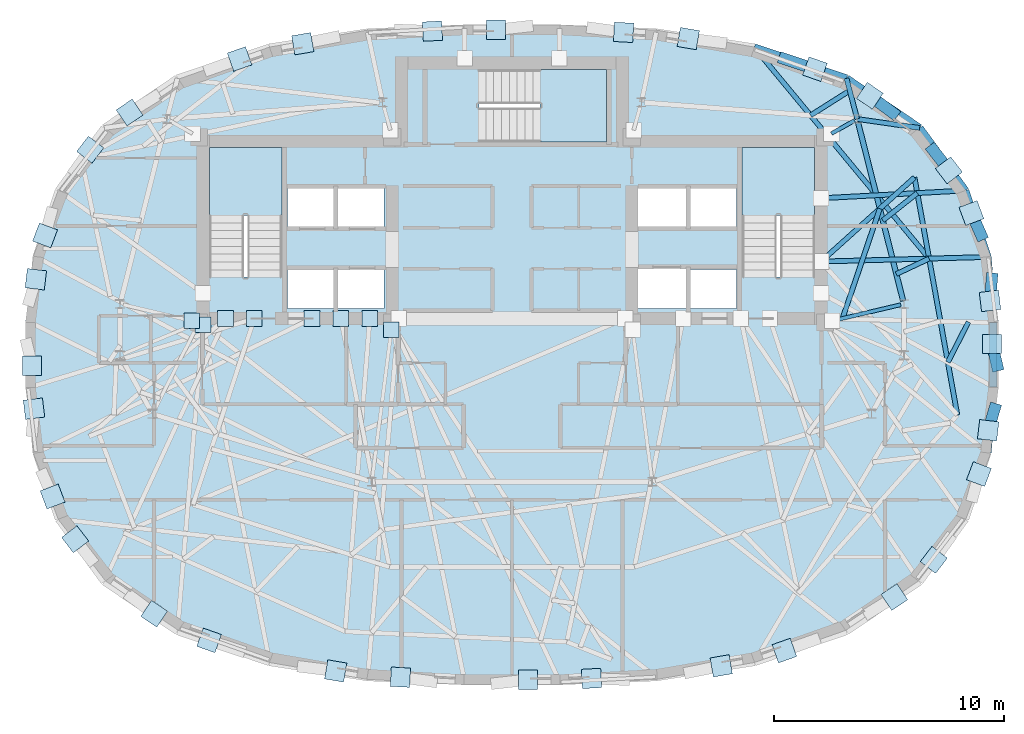
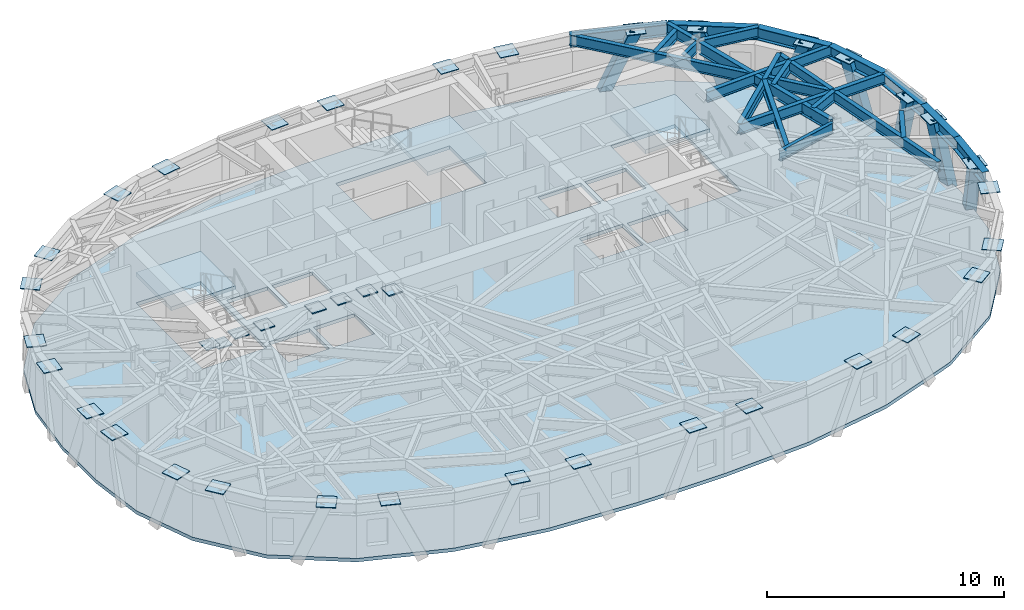
# One storey, part 4 of 12: 40 plates, 22 beams, 7 members, 4 slabs, 3 elements without a shape of their own.
"""IFC4 building model written with IfcOpenShell, lengths in metres."""

from ifc_helpers import new_model, si_unit, direction, frame, origin, origin_2d, place, context, subcontext, project, spatial, polyline, rectangle, hollow_rectangle, i_section, outline, extrude, material, layer, layer_set, material_profile, profile_set, type_object, element, aggregate, save


model = new_model("IFC4")

# Units and contexts
model_context = context("Model", 3, precision=1e-05, world=origin(), true_north=direction((0.0, 1.0)))
body_context = subcontext(model_context, "Body", "Model", "MODEL_VIEW")
ifc_project = project(units=[si_unit("LENGTHUNIT", "METRE"), si_unit("AREAUNIT", "SQUARE_METRE"), si_unit("VOLUMEUNIT", "CUBIC_METRE"), si_unit("PLANEANGLEUNIT", "RADIAN"), si_unit("MASSUNIT", "GRAM", prefix="KILO")], contexts=[model_context])

# Site, building, storey
site_placement = place(None, origin())
site = spatial("IfcSite", under=ifc_project, at=site_placement, CompositionType="ELEMENT")
building_placement = place(site_placement, origin())
building = spatial("IfcBuilding", under=site, at=building_placement, Name="Keldmark Tower", CompositionType="ELEMENT")
storey_placement = place(building_placement, frame((0.0, 0.0, 247.800048828125)))
storey = spatial("IfcBuildingStorey", under=building, at=storey_placement, Name="L70", CompositionType="ELEMENT", Elevation=247.800048828125)

# Members
ifc_material_1 = material(Name="Steel ASTM A572 Grade 50", Category="steel")
ifc_material_profile_1 = material_profile(ifc_material_1, hollow_rectangle(XDim=0.5, YDim=0.5, WallThickness=0.030029296875, at=origin_2d()), Name="BOX500X500X30")
ifc_profile_set_1 = profile_set([ifc_material_profile_1], Name="Steel ASTM A572 Grade 50")
member_type = type_object("IfcMemberType", Name="Diagrid Upper Brace BOX500X500X30", PredefinedType="BRACE", material=ifc_profile_set_1)
member_1_placement = place(storey_placement, frame((20.84619140625, 3.3154296875, -0.260009765625), z_axis=(-0.02434048137, -0.29882621744, 0.953997082143), x_axis=(0.996699069196, -0.081184761275, 0.0)))
element("IfcMember", 1, at=member_1_placement, inside=storey, type_object=member_type, Name="L70 Perimeter Diagrid Brace 01A", PredefinedType="BRACE", context=body_context, shape_type="SweptSolid", body=[
    extrude(hollow_rectangle(XDim=0.5, YDim=0.5, WallThickness=0.030029296875, at=origin_2d()), origin(), (0.0, 0.0, 1.0), 3.259765625),
])
member_2_placement = place(storey_placement, frame((20.374755859375, 5.215087890625, -0.260009765625), z_axis=(-0.127139635988, 0.287517418312, 0.949299345374), x_axis=(-0.9145724362, -0.404422129641, 0.0)))
element("IfcMember", 2, at=member_2_placement, inside=storey, type_object=member_type, Name="L70 Perimeter Diagrid Brace 01B", PredefinedType="BRACE", context=body_context, shape_type="SweptSolid", body=[
    extrude(hollow_rectangle(XDim=0.5, YDim=0.5, WallThickness=0.030029296875, at=origin_2d()), origin(), (0.0, 0.0, 1.0), 3.27587890625),
])
member_3_placement = place(storey_placement, frame((18.290283203125, 8.90380859375, -0.260009765625), z_axis=(0.208257888587, -0.26894132865, 0.940371848571), x_axis=(0.790659312829, 0.612256360552, 0.0)))
element("IfcMember", 3, at=member_3_placement, inside=storey, type_object=member_type, Name="L70 Perimeter Diagrid Brace 02A", PredefinedType="BRACE", context=body_context, shape_type="SweptSolid", body=[
    extrude(hollow_rectangle(XDim=0.5, YDim=0.5, WallThickness=0.030029296875, at=origin_2d()), origin(), (0.0, 0.0, 1.0), 3.30712890625),
])
member_4_placement = place(storey_placement, frame((16.55615234375, 10.50341796875, -0.260009765625), z_axis=(-0.301251358752, 0.222936195182, 0.92711761483), x_axis=(-0.594860573882, -0.803828898237, 0.0)))
element("IfcMember", 4, at=member_4_placement, inside=storey, type_object=member_type, Name="L70 Perimeter Diagrid Brace 02B", PredefinedType="BRACE", context=body_context, shape_type="SweptSolid", body=[
    extrude(hollow_rectangle(XDim=0.5, YDim=0.5, WallThickness=0.030029296875, at=origin_2d()), origin(), (0.0, 0.0, 1.0), 3.354248046875),
])
member_5_placement = place(storey_placement, frame((11.817138671875, 12.855712890625, -0.260009765625), z_axis=(0.392945244347, -0.130695917787, 0.910226681667), x_axis=(0.315606493533, 0.948890162896, 0.0)))
element("IfcMember", 5, at=member_5_placement, inside=storey, type_object=member_type, Name="L70 Perimeter Diagrid Brace 03A", PredefinedType="BRACE", context=body_context, shape_type="SweptSolid", body=[
    extrude(hollow_rectangle(XDim=0.5, YDim=0.5, WallThickness=0.030029296875, at=origin_2d()), origin(), (0.0, 0.0, 1.0), 3.41650390625),
])
member_6_placement = place(storey_placement, frame((20.962646484375, -2.34912109375, -0.260009765625), z_axis=(-0.084895755015, -0.286008029031, 0.954459070945), x_axis=(0.95865864275, -0.284558617301, 0.0)))
element("IfcMember", 6, at=member_6_placement, inside=storey, type_object=member_type, Name="L70 Perimeter Diagrid Brace 16A", PredefinedType="BRACE", context=body_context, shape_type="SweptSolid", body=[
    extrude(hollow_rectangle(XDim=0.5, YDim=0.5, WallThickness=0.030029296875, at=origin_2d()), origin(), (0.0, 0.0, 1.0), 3.25830078125),
])
member_7_placement = place(storey_placement, frame((21.07470703125, -0.464599609375, -0.260009765625), z_axis=(-0.069071309834, 0.28745964234, 0.955298962725), x_axis=(-0.972325096708, -0.23363198906, 0.0)))
element("IfcMember", 7, at=member_7_placement, inside=storey, type_object=member_type, Name="L70 Perimeter Diagrid Brace 16B", PredefinedType="BRACE", context=body_context, shape_type="SweptSolid", body=[
    extrude(hollow_rectangle(XDim=0.5, YDim=0.5, WallThickness=0.030029296875, at=origin_2d()), origin(), (0.0, 0.0, 1.0), 3.25537109375),
])

# Beams
ifc_material_2 = material(Name="Steel ASTM A992 Grade 50", Category="steel")
ifc_material_profile_2 = material_profile(ifc_material_2, i_section(OverallWidth=0.22802734375, OverallDepth=0.60302734375, WebThickness=0.010498046875, FlangeThickness=0.014892578125, at=origin_2d()), Name="W24X68")
ifc_profile_set_2 = profile_set([ifc_material_profile_2], Name="Steel ASTM A992 Grade 50")
beam_type_1 = type_object("IfcBeamType", Name="Primary Floor Girder W24X68", PredefinedType="BEAM", material=ifc_profile_set_2)
beam_1_placement = place(storey_placement, frame((16.9912109375, 2.34375, 2.66845703125), z_axis=(-0.244902129455, 0.969547805417, 0.0), x_axis=(-0.969547805417, -0.244902129455, 0.0)))
element("IfcBeam", 8, at=beam_1_placement, inside=storey, type_object=beam_type_1, Name="L70 Floor Ring Girder FG-R01", PredefinedType="BEAM", context=body_context, shape_type="SweptSolid", body=[
    extrude(i_section(OverallWidth=0.22802734375, OverallDepth=0.60302734375, WebThickness=0.010498046875, FlangeThickness=0.014892578125, at=origin_2d()), origin(), (0.0, 0.0, 1.0), 8.008056640625),
])
ifc_material_3 = material(Name="Steel ASTM A992 Grade 50", Category="steel")
ifc_material_profile_3 = material_profile(ifc_material_3, i_section(OverallWidth=0.166015625, OverallDepth=0.529052734375, WebThickness=0.009765625, FlangeThickness=0.013671875, at=origin_2d()), Name="W21X50")
ifc_profile_set_3 = profile_set([ifc_material_profile_3], Name="Steel ASTM A992 Grade 50")
beam_type_2 = type_object("IfcBeamType", Name="Radial Tie Girder W21X50", PredefinedType="BEAM", material=ifc_profile_set_3)
beam_2_placement = place(storey_placement, frame((16.889404296875, 2.17578125, 2.70556640625), z_axis=(-0.97329039005, -0.229577474147, 0.0), x_axis=(0.229577474147, -0.97329039005, 0.0)))
element("IfcBeam", 9, at=beam_2_placement, inside=storey, type_object=beam_type_2, Name="L70 Floor Radial Girder FG-C01", PredefinedType="BEAM", context=body_context, shape_type="SweptSolid", body=[
    extrude(i_section(OverallWidth=0.166015625, OverallDepth=0.529052734375, WebThickness=0.009765625, FlangeThickness=0.013671875, at=origin_2d()), origin(), (0.0, 0.0, 1.0), 3.0595703125),
])
beam_3_placement = place(storey_placement, frame((14.8740234375, 10.174560546875, 2.70556640625), z_axis=(-0.869238046195, -0.494393789451, 0.0), x_axis=(0.494393789451, -0.869238046195, 0.0)))
element("IfcBeam", 10, at=beam_3_placement, inside=storey, type_object=beam_type_2, Name="L70 Floor Radial Girder FG-C02", PredefinedType="BEAM", context=body_context, shape_type="SweptSolid", body=[
    extrude(i_section(OverallWidth=0.166015625, OverallDepth=0.529052734375, WebThickness=0.009765625, FlangeThickness=0.013671875, at=origin_2d()), origin(), (0.0, 0.0, 1.0), 1.145751953125),
])
ifc_material_4 = material(Name="Steel ASTM A992 Grade 50", Category="steel")
ifc_material_profile_4 = material_profile(ifc_material_4, i_section(OverallWidth=0.2099609375, OverallDepth=0.537109375, WebThickness=0.010986328125, FlangeThickness=0.017333984375, at=origin_2d()), Name="W21X68")
ifc_profile_set_4 = profile_set([ifc_material_profile_4], Name="Steel ASTM A992 Grade 50")
beam_type_3 = type_object("IfcBeamType", Name="Radial Tie Girder W21X68", PredefinedType="BEAM", material=ifc_profile_set_4)
beam_4_placement = place(storey_placement, frame((14.358154296875, 1.578857421875, 2.701416015625), z_axis=(0.321921849117, 0.946766245206, 0.0), x_axis=(-0.946766245206, 0.321921849117, 0.0)))
element("IfcBeam", 11, at=beam_4_placement, inside=storey, type_object=beam_type_3, Name="L70 Framing Pin Header PH-005", PredefinedType="BEAM", context=body_context, shape_type="SweptSolid", body=[
    extrude(i_section(OverallWidth=0.2099609375, OverallDepth=0.537109375, WebThickness=0.010986328125, FlangeThickness=0.017333984375, at=origin_2d()), origin(), (0.0, 0.0, 1.0), 5.037109375),
])
beam_5_placement = place(storey_placement, frame((13.425048828125, 4.050048828125, 2.701416015625), z_axis=(0.743494187518, 0.668742396687, 0.0), x_axis=(-0.668742396687, 0.743494187518, 0.0)))
element("IfcBeam", 12, at=beam_5_placement, inside=storey, type_object=beam_type_3, Name="L70 Sub-Ring Step Girder STP2-M01", PredefinedType="BEAM", context=body_context, shape_type="SweptSolid", body=[
    extrude(i_section(OverallWidth=0.2099609375, OverallDepth=0.537109375, WebThickness=0.010986328125, FlangeThickness=0.017333984375, at=origin_2d()), origin(), (0.0, 0.0, 1.0), 5.460693359375),
])
beam_6_placement = place(storey_placement, frame((19.34765625, -2.614013671875, 2.701416015625), z_axis=(-0.177678144868, 0.984088652935, 0.0), x_axis=(-0.984088652935, -0.177678144868, 0.0)))
element("IfcBeam", 13, at=beam_6_placement, inside=storey, type_object=beam_type_3, Name="L70 Perimeter Collector Ring Beam CRG2-M12", PredefinedType="BEAM", context=body_context, shape_type="SweptSolid", body=[
    extrude(i_section(OverallWidth=0.2099609375, OverallDepth=0.537109375, WebThickness=0.010986328125, FlangeThickness=0.017333984375, at=origin_2d()), origin(), (0.0, 0.0, 1.0), 10.482666015625),
])
beam_7_placement = place(storey_placement, frame((16.697021484375, 3.50830078125, 2.701416015625), z_axis=(0.904576052252, 0.426312286583, 0.0), x_axis=(-0.426312286583, 0.904576052252, 0.0)))
element("IfcBeam", 14, at=beam_7_placement, inside=storey, type_object=beam_type_3, Name="L70 Framing Pin Header PH-011", PredefinedType="BEAM", context=body_context, shape_type="SweptSolid", body=[
    extrude(i_section(OverallWidth=0.2099609375, OverallDepth=0.537109375, WebThickness=0.010986328125, FlangeThickness=0.017333984375, at=origin_2d()), origin(), (0.0, 0.0, 1.0), 1.57421875),
])
beam_8_placement = place(storey_placement, frame((13.425048828125, 4.050048828125, 2.701416015625), z_axis=(0.999621152611, 0.027523648958, 0.0), x_axis=(-0.027523648958, 0.999621152611, 0.0)))
element("IfcBeam", 15, at=beam_8_placement, inside=storey, type_object=beam_type_3, Name="L70 Perimeter Radial Tie Girder RT-02", PredefinedType="BEAM", context=body_context, shape_type="SweptSolid", body=[
    extrude(i_section(OverallWidth=0.2099609375, OverallDepth=0.537109375, WebThickness=0.010986328125, FlangeThickness=0.017333984375, at=origin_2d()), origin(), (0.0, 0.0, 1.0), 7.238037109375),
])
beam_9_placement = place(storey_placement, frame((16.10888671875, 5.837646484375, 2.701416015625), z_axis=(0.783812723043, 0.620997274708, 0.0), x_axis=(-0.620997274708, 0.783812723043, 0.0)))
element("IfcBeam", 16, at=beam_9_placement, inside=storey, type_object=beam_type_3, Name="L70 Framing Pin Header PH-012", PredefinedType="BEAM", context=body_context, shape_type="SweptSolid", body=[
    extrude(i_section(OverallWidth=0.2099609375, OverallDepth=0.537109375, WebThickness=0.010986328125, FlangeThickness=0.017333984375, at=origin_2d()), origin(), (0.0, 0.0, 1.0), 1.911865234375),
])
beam_10_placement = place(storey_placement, frame((13.425048828125, 6.800048828125, 2.701416015625), z_axis=(0.998558544337, 0.053673396868, 0.0), x_axis=(-0.053673396868, 0.998558544337, 0.0)))
element("IfcBeam", 17, at=beam_10_placement, inside=storey, type_object=beam_type_3, Name="L70 Perimeter Radial Tie Girder RT-03", PredefinedType="BEAM", context=body_context, shape_type="SweptSolid", body=[
    extrude(i_section(OverallWidth=0.2099609375, OverallDepth=0.537109375, WebThickness=0.010986328125, FlangeThickness=0.017333984375, at=origin_2d()), origin(), (0.0, 0.0, 1.0), 6.277099609375),
])
beam_11_placement = place(storey_placement, frame((14.995849609375, 10.24365234375, 2.701416015625), z_axis=(0.98984411669, -0.142157042224, 0.0), x_axis=(0.142157042224, 0.98984411669, 0.0)))
element("IfcBeam", 18, at=beam_11_placement, inside=storey, type_object=beam_type_3, Name="L70 Perimeter Column Bracket RT-04", PredefinedType="BEAM", context=body_context, shape_type="SweptSolid", body=[
    extrude(i_section(OverallWidth=0.2099609375, OverallDepth=0.537109375, WebThickness=0.010986328125, FlangeThickness=0.017333984375, at=origin_2d()), origin(), (0.0, 0.0, 1.0), 2.740966796875),
])
beam_12_placement = place(storey_placement, frame((14.995849609375, 10.24365234375, 2.701416015625), z_axis=(-0.253642849058, 0.967297940203, 0.0), x_axis=(-0.967297940203, -0.253642849058, 0.0)))
element("IfcBeam", 19, at=beam_12_placement, inside=storey, type_object=beam_type_3, Name="L70 Perimeter Column Bracket RT-05", PredefinedType="BEAM", context=body_context, shape_type="SweptSolid", body=[
    extrude(i_section(OverallWidth=0.2099609375, OverallDepth=0.537109375, WebThickness=0.010986328125, FlangeThickness=0.017333984375, at=origin_2d()), origin(), (0.0, 0.0, 1.0), 1.822998046875),
])
beam_13_placement = place(storey_placement, frame((14.672119140625, 11.47802734375, 2.701416015625), z_axis=(-0.84469303892, -0.535251034563, 0.0), x_axis=(0.535251034563, -0.84469303892, 0.0)))
element("IfcBeam", 20, at=beam_13_placement, inside=storey, type_object=beam_type_3, Name="L70 Framing Pin Header PH-013", PredefinedType="BEAM", context=body_context, shape_type="SweptSolid", body=[
    extrude(i_section(OverallWidth=0.2099609375, OverallDepth=0.537109375, WebThickness=0.010986328125, FlangeThickness=0.017333984375, at=origin_2d()), origin(), (0.0, 0.0, 1.0), 2.01416015625),
])
beam_14_placement = place(storey_placement, frame((18.12109375, 4.179443359375, 2.701416015625), z_axis=(-0.637749364974, 0.770243953222, 0.0), x_axis=(-0.770243953222, -0.637749364974, 0.0)))
element("IfcBeam", 21, at=beam_14_placement, inside=storey, type_object=beam_type_3, Name="L70 Perimeter Radial Tie Girder RT-06", PredefinedType="BEAM", context=body_context, shape_type="SweptSolid", body=[
    extrude(i_section(OverallWidth=0.2099609375, OverallDepth=0.537109375, WebThickness=0.010986328125, FlangeThickness=0.017333984375, at=origin_2d()), origin(), (0.0, 0.0, 1.0), 11.908935546875),
])
beam_15_placement = place(storey_placement, frame((19.828125, 1.423095703125, 2.701416015625), z_axis=(-0.456157362371, -0.889899129539, 0.0), x_axis=(0.889899129539, -0.456157362371, 0.0)))
element("IfcBeam", 22, at=beam_15_placement, inside=storey, type_object=beam_type_3, Name="L70 Framing Pin Header PH-031", PredefinedType="BEAM", context=body_context, shape_type="SweptSolid", body=[
    extrude(i_section(OverallWidth=0.2099609375, OverallDepth=0.537109375, WebThickness=0.010986328125, FlangeThickness=0.017333984375, at=origin_2d()), origin(), (0.0, 0.0, 1.0), 1.96044921875),
])
ifc_material_5 = material(Name="Steel ASTM A992 Grade 50", Category="steel")
ifc_material_profile_5 = material_profile(ifc_material_5, i_section(OverallWidth=0.326904296875, OverallDepth=0.6220703125, WebThickness=0.015380859375, FlangeThickness=0.0244140625, at=origin_2d()), Name="W24X131")
ifc_profile_set_5 = profile_set([ifc_material_profile_5], Name="Steel ASTM A992 Grade 50")
beam_type_4 = type_object("IfcBeamType", Name="Spandrel Ring Beam W24X131", PredefinedType="SPANDREL", material=ifc_profile_set_5)
beam_16_placement = place(storey_placement, frame((20.909423828125, 1.396240234375, 2.658935546875), z_axis=(-0.086953331659, 0.996212386047, 0.0), x_axis=(-0.996212386047, -0.086953331659, 0.0)))
element("IfcBeam", 23, at=beam_16_placement, inside=storey, type_object=beam_type_4, Name="L70 Perimeter Spandrel Ring Beam SRB-01", PredefinedType="SPANDREL", context=body_context, shape_type="SweptSolid", body=[
    extrude(i_section(OverallWidth=0.326904296875, OverallDepth=0.6220703125, WebThickness=0.015380859375, FlangeThickness=0.0244140625, at=origin_2d()), origin(), (0.0, 0.0, 1.0), 2.86376953125),
])
beam_17_placement = place(storey_placement, frame((20.660400390625, 4.249267578125, 2.658935546875), z_axis=(-0.317622332961, 0.948217302945, 0.0), x_axis=(-0.948217302945, -0.317622332961, 0.0)))
element("IfcBeam", 24, at=beam_17_placement, inside=storey, type_object=beam_type_4, Name="L70 Perimeter Spandrel Ring Beam SRB-02", PredefinedType="SPANDREL", context=body_context, shape_type="SweptSolid", body=[
    extrude(i_section(OverallWidth=0.326904296875, OverallDepth=0.6220703125, WebThickness=0.015380859375, FlangeThickness=0.0244140625, at=origin_2d()), origin(), (0.0, 0.0, 1.0), 3.04541015625),
])
beam_18_placement = place(storey_placement, frame((19.693115234375, 7.136962890625, 2.658935546875), z_axis=(-0.589745465015, 0.807589181759, 0.0), x_axis=(-0.807589181759, -0.589745465015, 0.0)))
element("IfcBeam", 25, at=beam_18_placement, inside=storey, type_object=beam_type_4, Name="L70 Perimeter Spandrel Ring Beam SRB-03", PredefinedType="SPANDREL", context=body_context, shape_type="SweptSolid", body=[
    extrude(i_section(OverallWidth=0.326904296875, OverallDepth=0.6220703125, WebThickness=0.015380859375, FlangeThickness=0.0244140625, at=origin_2d()), origin(), (0.0, 0.0, 1.0), 3.364501953125),
])
beam_19_placement = place(storey_placement, frame((17.708984375, 9.85400390625, 2.658935546875), z_axis=(-0.827687958421, 0.561188598855, 0.0), x_axis=(-0.561188598855, -0.827687958421, 0.0)))
element("IfcBeam", 26, at=beam_19_placement, inside=storey, type_object=beam_type_4, Name="L70 Perimeter Spandrel Ring Beam SRB-04", PredefinedType="SPANDREL", context=body_context, shape_type="SweptSolid", body=[
    extrude(i_section(OverallWidth=0.326904296875, OverallDepth=0.6220703125, WebThickness=0.015380859375, FlangeThickness=0.0244140625, at=origin_2d()), origin(), (0.0, 0.0, 1.0), 3.836669921875),
])
beam_20_placement = place(storey_placement, frame((14.533447265625, 12.007080078125, 2.658935546875), z_axis=(-0.948011196326, 0.318236974032, 0.0), x_axis=(-0.318236974032, -0.948011196326, 0.0)))
element("IfcBeam", 27, at=beam_20_placement, inside=storey, type_object=beam_type_4, Name="L70 Perimeter Spandrel Ring Beam SRB-05", PredefinedType="SPANDREL", context=body_context, shape_type="SweptSolid", body=[
    extrude(i_section(OverallWidth=0.326904296875, OverallDepth=0.6220703125, WebThickness=0.015380859375, FlangeThickness=0.0244140625, at=origin_2d()), origin(), (0.0, 0.0, 1.0), 4.22705078125),
])
beam_21_placement = place(storey_placement, frame((20.660400390625, -4.249267578125, 2.658935546875), z_axis=(0.086953331659, 0.996212386047, 0.0), x_axis=(-0.996212386047, 0.086953331659, 0.0)))
element("IfcBeam", 28, at=beam_21_placement, inside=storey, type_object=beam_type_4, Name="L70 Perimeter Spandrel Ring Beam SRB-31", PredefinedType="SPANDREL", context=body_context, shape_type="SweptSolid", body=[
    extrude(i_section(OverallWidth=0.326904296875, OverallDepth=0.6220703125, WebThickness=0.015380859375, FlangeThickness=0.0244140625, at=origin_2d()), origin(), (0.0, 0.0, 1.0), 2.86376953125),
])
beam_22_placement = place(storey_placement, frame((20.909423828125, -1.396240234375, 2.658935546875), z_axis=(0.0, 1.0, 0.0), x_axis=(-1.0, 0.0, 0.0)))
element("IfcBeam", 29, at=beam_22_placement, inside=storey, type_object=beam_type_4, Name="L70 Perimeter Spandrel Ring Beam SRB-32", PredefinedType="SPANDREL", context=body_context, shape_type="SweptSolid", body=[
    extrude(i_section(OverallWidth=0.326904296875, OverallDepth=0.6220703125, WebThickness=0.015380859375, FlangeThickness=0.0244140625, at=origin_2d()), origin(), (0.0, 0.0, 1.0), 2.79248046875),
])

# Plates
ifc_material_6 = material(Name="Steel ASTM A572 Grade 50", Category="steel")
ifc_layer_1 = layer(ifc_material_6, 0.06005859375)
ifc_layer_set_1 = layer_set([ifc_layer_1], Name="Steel ASTM A572 Grade 50")
plate_type_1 = type_object("IfcPlateType", Name="Belt Truss Kink Node Assembly KN01 60 mm", PredefinedType="USERDEFINED", material=ifc_layer_set_1)
for number, where, z_axis, x_axis, name in (
    (30, (-13.91162109375, 1.473388671875, 2.67822265625), (0.0, 0.0, 1.0), (1.0, 0.0, 0.0), "L70 Core Wall Cast-In Embed Plate 2037"),
    (31, (-5.24072265625, 1.08251953125, 2.67822265625), (0.0, 0.0, 1.0), (1.0, 0.0, 0.0), "L70 Core Wall Cast-In Embed Plate 2038"),
    (32, (-11.19287109375, 1.574951171875, 2.673828125), (0.0, 0.0, 1.0), (1.0, 0.0, 0.0), "L70 Core Wall Cast-In Embed Plate 2042"),
    (33, (-7.43212890625, 1.574951171875, 2.673828125), (0.0, 0.0, 1.0), (1.0, 0.0, 0.0), "L70 Core Wall Cast-In Embed Plate 2043"),
    (34, (-6.1787109375, 1.574951171875, 2.673828125), (0.0, 0.0, 1.0), (1.0, 0.0, 0.0), "L70 Core Wall Cast-In Embed Plate 2048"),
    (35, (-12.4462890625, 1.574951171875, 2.673828125), (0.0, 0.0, 1.0), (1.0, 0.0, 0.0), "L70 Core Wall Cast-In Embed Plate 2051"),
    (36, (-8.685791015625, 1.574951171875, 2.673828125), (0.0, 0.0, 1.0), (1.0, 0.0, 0.0), "L70 Core Wall Cast-In Embed Plate 2052"),
    (37, (-13.425048828125, 1.300048828125, 2.673828125), (0.0, 0.0, 1.0), (1.0, 0.0, 0.0), "L70 Core Wall Cast-In Embed Plate 2053"),
):
    element("IfcPlate", number, at=place(storey_placement, frame(where, z_axis=z_axis, x_axis=x_axis)), inside=storey, type_object=plate_type_1, Name=name, ObjectType="CAP PLATE", PredefinedType="USERDEFINED", context=body_context, shape_type="SweptSolid", body=[
        extrude(rectangle(XDim=0.679931640625, YDim=0.679931640625, at=origin_2d()), origin(), (0.0, 0.0, 1.0), 0.054931640625),
    ])
ifc_material_7 = material(Name="Steel ASTM A572 Grade 50", Category="steel")
ifc_layer_2 = layer(ifc_material_7, 0.034912109375)
ifc_layer_set_2 = layer_set([ifc_layer_2], Name="Steel ASTM A572 Grade 50")
plate_type_2 = type_object("IfcPlateType", Name="Diagrid Node Assembly DN06 35 mm", PredefinedType="USERDEFINED", material=ifc_layer_set_2)
for number, where, z_axis, x_axis, name in (
    (38, (20.766845703125, 2.34130859375, 2.83251953125), (0.0, 0.0, 1.0), (-0.118923867576, 0.992903375823, 0.0), "L70 Diagrid Node Assembly 01"),
    (39, (19.958251953125, 6.156982421875, 2.83251953125), (0.0, 0.0, 1.0), (-0.351841648405, 0.936059535739, 0.0), "L70 Diagrid Node Assembly 02"),
    (40, (18.97900390625, 8.014404296875, 2.83251953125), (0.0, 0.0, 1.0), (-0.608345946742, 0.793671978264, 0.0), "L70 Diagrid Node Assembly 03"),
    (41, (15.545654296875, 11.251220703125, 2.83251953125), (0.0, 0.0, 1.0), (-0.827668733006, 0.561216953062, 0.0), "L70 Diagrid Node Assembly 04"),
    (42, (13.15966796875, 12.4091796875, 2.83251953125), (0.0, 0.0, 1.0), (-0.943164670528, 0.332325750233, 0.0), "L70 Diagrid Node Assembly 05"),
    (43, (7.65869140625, 13.73681640625, 2.83251953125), (0.0, 0.0, 1.0), (-0.985407898483, 0.170209499166, 0.0), "L70 Diagrid Node Assembly 06"),
    (44, (4.847412109375, 14.007080078125, 2.83251953125), (0.0, 0.0, 1.0), (-0.998489097451, 0.054950179912, 0.0), "L70 Diagrid Node Assembly 07"),
    (45, (-0.6923828125, 14.1171875, 2.83251953125), (0.0, 0.0, 1.0), (-1.0, 0.0, 0.0), "L70 Diagrid Node Assembly 08"),
    (46, (-3.4560546875, 14.06103515625, 2.83251953125), (0.0, 0.0, 1.0), (-0.998489097451, -0.054950179912, 0.0), "L70 Diagrid Node Assembly 09"),
    (47, (-9.089111328125, 13.513671875, 2.83251953125), (0.0, 0.0, 1.0), (-0.985407898483, -0.170209499166, 0.0), "L70 Diagrid Node Assembly 10"),
    (48, (-11.833740234375, 12.85107421875, 2.83251953125), (0.0, 0.0, 1.0), (-0.943164670528, -0.332325750233, 0.0), "L70 Diagrid Node Assembly 11"),
    (49, (-16.612548828125, 10.525390625, 2.83251953125), (0.0, 0.0, 1.0), (-0.827668733006, -0.561216953062, 0.0), "L70 Diagrid Node Assembly 12"),
    (50, (-18.32421875, 8.91015625, 2.83251953125), (0.0, 0.0, 1.0), (-0.608345946742, -0.793671978264, 0.0), "L70 Diagrid Node Assembly 13"),
    (51, (-20.28515625, 5.18359375, 2.83251953125), (0.0, 0.0, 1.0), (-0.351841648405, -0.936059535739, 0.0), "L70 Diagrid Node Assembly 14"),
    (52, (-20.68603515625, 3.281005859375, 2.83251953125), (0.0, 0.0, 1.0), (-0.118923867576, -0.992903375823, 0.0), "L70 Diagrid Node Assembly 15"),
    (53, (-20.849853515625, -0.47119140625, 2.83251953125), (0.0, 0.0, 1.0), (0.0, -1.0, 0.0), "L70 Diagrid Node Assembly 16"),
    (54, (-20.766845703125, -2.34130859375, 2.83251953125), (0.0, 0.0, 1.0), (0.118923867576, -0.992903375823, 0.0), "L70 Diagrid Node Assembly 17"),
    (55, (-19.958251953125, -6.156982421875, 2.83251953125), (0.0, 0.0, 1.0), (0.351841648405, -0.936059535739, 0.0), "L70 Diagrid Node Assembly 18"),
    (56, (-18.97900390625, -8.014404296875, 2.83251953125), (0.0, 0.0, 1.0), (0.608345946742, -0.793671978264, 0.0), "L70 Diagrid Node Assembly 19"),
    (57, (-15.545654296875, -11.251220703125, 2.83251953125), (0.0, 0.0, 1.0), (0.827668733006, -0.561216953062, 0.0), "L70 Diagrid Node Assembly 20"),
    (58, (-13.15966796875, -12.4091796875, 2.83251953125), (0.0, 0.0, 1.0), (0.943164670528, -0.332325750233, 0.0), "L70 Diagrid Node Assembly 21"),
    (59, (-7.65869140625, -13.73681640625, 2.83251953125), (0.0, 0.0, 1.0), (0.985407898483, -0.170209499166, 0.0), "L70 Diagrid Node Assembly 22"),
    (60, (-4.847412109375, -14.007080078125, 2.83251953125), (0.0, 0.0, 1.0), (0.998489097451, -0.054950179912, 0.0), "L70 Diagrid Node Assembly 23"),
    (61, (0.6923828125, -14.1171875, 2.83251953125), (0.0, 0.0, 1.0), (1.0, 0.0, 0.0), "L70 Diagrid Node Assembly 24"),
    (62, (3.4560546875, -14.06103515625, 2.83251953125), (0.0, 0.0, 1.0), (0.998489097451, 0.054950179912, 0.0), "L70 Diagrid Node Assembly 25"),
    (63, (9.089111328125, -13.513671875, 2.83251953125), (0.0, 0.0, 1.0), (0.985407898483, 0.170209499166, 0.0), "L70 Diagrid Node Assembly 26"),
    (64, (11.833740234375, -12.85107421875, 2.83251953125), (0.0, 0.0, 1.0), (0.943164670528, 0.332325750233, 0.0), "L70 Diagrid Node Assembly 27"),
    (65, (16.612548828125, -10.525390625, 2.83251953125), (0.0, 0.0, 1.0), (0.827668733006, 0.561216953062, 0.0), "L70 Diagrid Node Assembly 28"),
    (66, (18.32421875, -8.91015625, 2.83251953125), (0.0, 0.0, 1.0), (0.608345946742, 0.793671978264, 0.0), "L70 Diagrid Node Assembly 29"),
    (67, (20.28515625, -5.18359375, 2.83251953125), (0.0, 0.0, 1.0), (0.351841648405, 0.936059535739, 0.0), "L70 Diagrid Node Assembly 30"),
    (68, (20.68603515625, -3.281005859375, 2.83251953125), (0.0, 0.0, 1.0), (0.118923867576, 0.992903375823, 0.0), "L70 Diagrid Node Assembly 31"),
    (69, (20.849853515625, 0.47119140625, 2.83251953125), (0.0, 0.0, 1.0), (0.0, 1.0, 0.0), "L70 Diagrid Node Assembly 32"),
):
    element("IfcPlate", number, at=place(storey_placement, frame(where, z_axis=z_axis, x_axis=x_axis)), inside=storey, type_object=plate_type_2, Name=name, ObjectType="GUSSET", PredefinedType="USERDEFINED", context=body_context, shape_type="SweptSolid", body=[
        extrude(rectangle(XDim=0.840087890625, YDim=0.840087890625, at=origin_2d()), origin(), (0.0, 0.0, 1.0), 0.034912109375),
    ])

# Slab
ifc_material_8 = material(Name="Concrete C35/45", Category="concrete")
ifc_layer_3 = layer(ifc_material_8, 0.179931640625)
ifc_layer_set_3 = layer_set([ifc_layer_3], Name="Concrete C35/45")
slab_type_1 = type_object("IfcSlabType", Name="Hotel and Residential Slab 180 mm", PredefinedType="FLOOR", material=ifc_layer_set_3)
slab_1_placement = place(storey_placement, frame((0.0, 0.0, -0.179931640625)))
element("IfcSlab", 70, at=slab_1_placement, inside=storey, type_object=slab_type_1, Name="L70 Composite Structural Floor Slab", PredefinedType="FLOOR", context=body_context, shape_type="SweptSolid", body=[
    extrude(outline(polyline([(21.134521484375, 1.411376953125), (20.79150390625, 4.2763671875), (19.713623046875, 7.14453125), (17.658203125, 9.825927734375), (14.49169921875, 11.972900390625), (10.537109375, 13.36669921875), (6.306884765625, 14.097412109375), (2.08154296875, 14.330078125), (-2.08154296875, 14.330078125), (-6.306884765625, 14.097412109375), (-10.537109375, 13.36669921875), (-14.49169921875, 11.972900390625), (-17.658203125, 9.825927734375), (-19.713623046875, 7.14453125), (-20.79150390625, 4.2763671875), (-21.134521484375, 1.411376953125), (-21.134521484375, -1.411376953125), (-20.79150390625, -4.2763671875), (-19.713623046875, -7.14453125), (-17.658203125, -9.825927734375), (-14.49169921875, -11.972900390625), (-10.537109375, -13.36669921875), (-6.306884765625, -14.097412109375), (-2.08154296875, -14.330078125), (2.08154296875, -14.330078125), (6.306884765625, -14.097412109375), (10.537109375, -13.36669921875), (14.49169921875, -11.972900390625), (17.658203125, -9.825927734375), (19.713623046875, -7.14453125), (20.79150390625, -4.2763671875), (21.134521484375, -1.411376953125), (21.134521484375, 1.411376953125)]), holes=[polyline([(-10.0, 3.385009765625), (-10.0, 9.0), (-13.14990234375, 9.0), (-13.14990234375, 3.385009765625), (-10.0, 3.385009765625)]), polyline([(13.14990234375, 3.385009765625), (13.14990234375, 9.0), (10.0, 9.0), (10.0, 3.385009765625), (13.14990234375, 3.385009765625)]), polyline([(-1.43994140625, 9.25), (4.10498046875, 9.25), (4.10498046875, 12.39990234375), (-1.43994140625, 12.39990234375), (-1.43994140625, 9.25)]), polyline([(-9.75, 2.0), (-7.75, 2.0), (-7.75, 3.699951171875), (-9.75, 3.699951171875), (-9.75, 2.0)]), polyline([(7.75, 2.0), (9.75, 2.0), (9.75, 3.699951171875), (7.75, 3.699951171875), (7.75, 2.0)]), polyline([(5.449951171875, 2.0), (7.550048828125, 2.0), (7.550048828125, 3.75), (5.449951171875, 3.75), (5.449951171875, 2.0)]), polyline([(-9.75, 5.550048828125), (-7.75, 5.550048828125), (-7.75, 7.25), (-9.75, 7.25), (-9.75, 5.550048828125)]), polyline([(-7.550048828125, 5.550048828125), (-5.550048828125, 5.550048828125), (-5.550048828125, 7.25), (-7.550048828125, 7.25), (-7.550048828125, 5.550048828125)]), polyline([(-7.550048828125, 2.0), (-5.550048828125, 2.0), (-5.550048828125, 3.699951171875), (-7.550048828125, 3.699951171875), (-7.550048828125, 2.0)]), polyline([(5.449951171875, 5.550048828125), (7.550048828125, 5.550048828125), (7.550048828125, 7.25), (5.449951171875, 7.25), (5.449951171875, 5.550048828125)]), polyline([(7.75, 5.550048828125), (9.75, 5.550048828125), (9.75, 7.25), (7.75, 7.25), (7.75, 5.550048828125)])]), origin(), (0.0, 0.0, 1.0), 0.179931640625),
])

# Stair, slab
ifc_material_9 = material(Name="Concrete C40/50", Category="concrete")
stair_type = type_object("IfcStairType", Name="Precast Concrete Core Exit Stair", PredefinedType="HALF_TURN_STAIR", material=ifc_material_9)
stair_1_placement = place(storey_placement, origin())
stair_1 = element("IfcStair", 71, at=stair_1_placement, inside=storey, type_object=stair_type, Name="L70 Exit Stair ST1", PredefinedType="HALF_TURN_STAIR")
ifc_material_10 = material(Name="Concrete C40/50", Category="concrete")
ifc_layer_4 = layer(ifc_material_10, 0.199951171875)
ifc_layer_set_4 = layer_set([ifc_layer_4], Name="Concrete C40/50")
slab_type_2 = type_object("IfcSlabType", Name="Reinforced Concrete Stair Landing 200 mm", PredefinedType="LANDING", material=ifc_layer_set_4)
slab_2_placement = place(storey_placement, frame((0.0, 0.0, 1.375)))
slab_2 = element("IfcSlab", 72, at=slab_2_placement, type_object=slab_type_2, Name="ST1 landing 1", PredefinedType="LANDING", context=body_context, shape_type="SweptSolid", body=[
    extrude(outline(polyline([(-10.0, 6.050048828125), (-10.0, 9.0), (-13.14990234375, 9.0), (-13.14990234375, 6.050048828125), (-10.0, 6.050048828125)])), origin(), (0.0, 0.0, 1.0), 0.199951171875),
])
aggregate(stair_1, [slab_2])

stair_2_placement = place(storey_placement, origin())
stair_2 = element("IfcStair", 73, at=stair_2_placement, inside=storey, type_object=stair_type, Name="L70 Exit Stair ST2", PredefinedType="HALF_TURN_STAIR")
slab_3_placement = place(storey_placement, frame((0.0, 0.0, 1.375)))
slab_3 = element("IfcSlab", 74, at=slab_3_placement, type_object=slab_type_2, Name="ST2 landing 1", PredefinedType="LANDING", context=body_context, shape_type="SweptSolid", body=[
    extrude(outline(polyline([(13.14990234375, 6.050048828125), (13.14990234375, 9.0), (10.0, 9.0), (10.0, 6.050048828125), (13.14990234375, 6.050048828125)])), origin(), (0.0, 0.0, 1.0), 0.199951171875),
])
aggregate(stair_2, [slab_3])

stair_3_placement = place(storey_placement, origin())
stair_3 = element("IfcStair", 75, at=stair_3_placement, inside=storey, type_object=stair_type, Name="L70 Exit Stair ST3", PredefinedType="HALF_TURN_STAIR")
slab_4_placement = place(storey_placement, frame((0.0, 0.0, 1.375)))
slab_4 = element("IfcSlab", 76, at=slab_4_placement, type_object=slab_type_2, Name="ST3 landing 1", PredefinedType="LANDING", context=body_context, shape_type="SweptSolid", body=[
    extrude(outline(polyline([(1.22509765625, 9.25), (4.10498046875, 9.25), (4.10498046875, 12.39990234375), (1.22509765625, 12.39990234375), (1.22509765625, 9.25)])), origin(), (0.0, 0.0, 1.0), 0.199951171875),
])
aggregate(stair_3, [slab_4])

save(model, "model.ifc")
